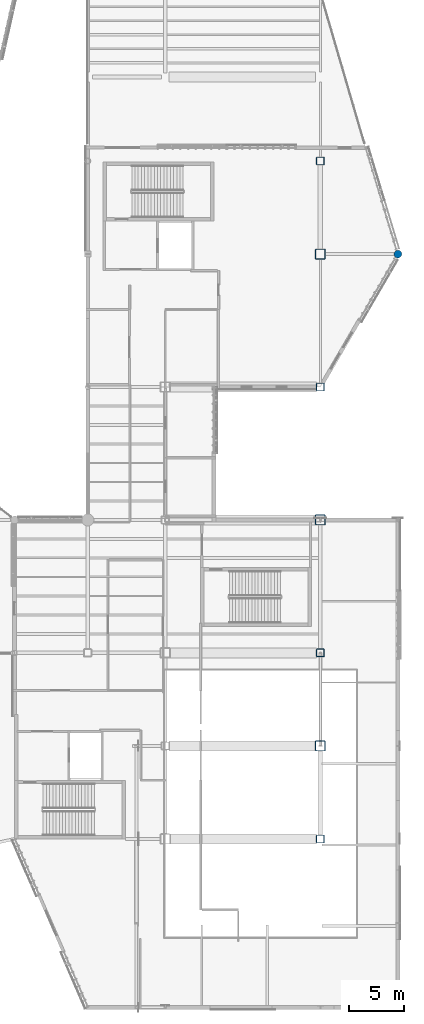
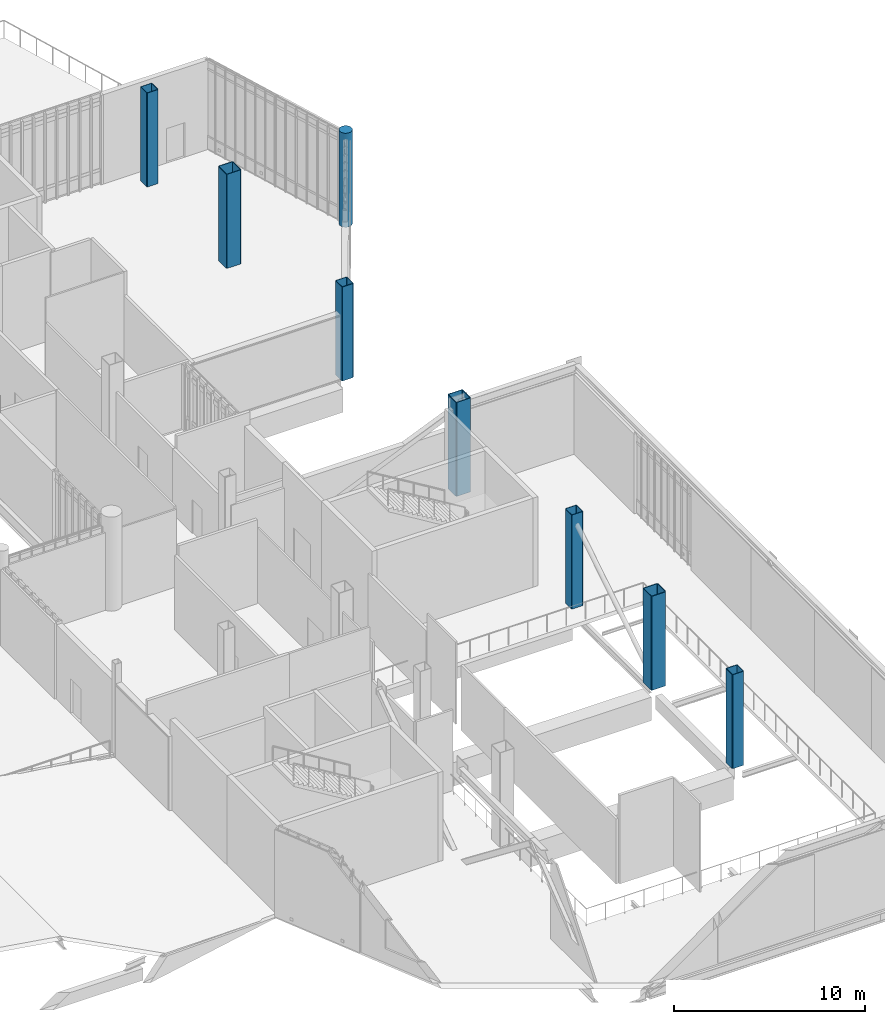
# One storey, part 8 of 135: 8 columns.
"""IFC4 building model written with IfcOpenShell, lengths in metres."""

from ifc_helpers import new_model, si_unit, direction, frame, origin, origin_2d, place, context, subcontext, project, spatial, hollow_rectangle, circle, extrude, material, material_profile, profile_set, type_object, element, save


model = new_model("IFC4")

# Units and contexts
model_context = context("Model", 3, precision=1e-05, world=origin(), true_north=direction((0.0, 1.0)))
body_context = subcontext(model_context, "Body", "Model", "MODEL_VIEW")
ifc_project = project(units=[si_unit("LENGTHUNIT", "METRE"), si_unit("AREAUNIT", "SQUARE_METRE"), si_unit("VOLUMEUNIT", "CUBIC_METRE"), si_unit("PLANEANGLEUNIT", "RADIAN"), si_unit("MASSUNIT", "GRAM", prefix="KILO")], contexts=[model_context])

# Site, building, storey
site_placement = place(None, origin())
site = spatial("IfcSite", under=ifc_project, at=site_placement, CompositionType="ELEMENT")
building_placement = place(site_placement, origin())
building = spatial("IfcBuilding", under=site, at=building_placement, Name="Larkvane Passage Sports Hall", CompositionType="ELEMENT")
storey_placement = place(building_placement, frame((0.0, 0.0, 10.800048828125)))
storey = spatial("IfcBuildingStorey", under=building, at=storey_placement, Name="L02", CompositionType="ELEMENT", Elevation=10.800048828125)

# Columns
ifc_material_1 = material(Name="Concrete C40/50", Category="concrete")
ifc_material_profile_1 = material_profile(ifc_material_1, circle(Radius=0.35009765625, at=origin_2d()), Name="RC-CIR-700")
ifc_profile_set_1 = profile_set([ifc_material_profile_1], Name="Concrete C40/50")
column_type_1 = type_object("IfcColumnType", Name="COL-CIR-700", PredefinedType="COLUMN", material=ifc_profile_set_1)
column_placement = place(storey_placement, frame((152.60009765625, 75.60009765625, 0.0), z_axis=(0.0, 0.0, 1.0), x_axis=(1.0, 0.0, 0.0)))
element("IfcColumn", 1, at=column_placement, inside=storey, type_object=column_type_1, Name="Column 20/J L02", PredefinedType="COLUMN", context=body_context, shape_type="SweptSolid", body=[
    extrude(circle(Radius=0.35009765625, at=origin_2d()), origin(), (0.0, 0.0, 1.0), 6.0),
])
ifc_material_2 = material(Name="Steel S460N", Category="steel")
ifc_material_profile_2 = material_profile(ifc_material_2, hollow_rectangle(XDim=0.699951171875, YDim=0.699951171875, WallThickness=0.028076171875, InnerFilletRadius=0.028076171875, OuterFilletRadius=0.055908203125, at=origin_2d()), Name="BOX-700x700x28")
ifc_profile_set_2 = profile_set([ifc_material_profile_2], Name="Steel S460N")
column_type_2 = type_object("IfcColumnType", Name="COL-STL-BOX700", PredefinedType="COLUMN", material=ifc_profile_set_2)
for number, where, z_axis, x_axis, name in (
    (2, (145.60009765625, 22.800048828125, 0.0), (0.0, 0.0, 1.0), (1.0, 0.0, 0.0), "Column 19/D L02"),
    (3, (145.60009765625, 39.60009765625, 0.0), (0.0, 0.0, 1.0), (1.0, 0.0, 0.0), "Column 19/F L02"),
    (4, (145.60009765625, 63.60009765625, 0.0), (0.0, 0.0, 1.0), (1.0, 0.0, 0.0), "Column 19/H L02"),
    (5, (145.60009765625, 84.0, 0.0), (0.0, 0.0, 1.0), (1.0, 0.0, 0.0), "Column 19/K L02"),
):
    element("IfcColumn", number, at=place(storey_placement, frame(where, z_axis=z_axis, x_axis=x_axis)), inside=storey, type_object=column_type_2, Name=name, PredefinedType="COLUMN", context=body_context, shape_type="SweptSolid", body=[
        extrude(hollow_rectangle(XDim=0.699951171875, YDim=0.699951171875, WallThickness=0.028076171875, InnerFilletRadius=0.028076171875, OuterFilletRadius=0.055908203125, at=origin_2d()), origin(), (0.0, 0.0, 1.0), 6.0),
    ])
ifc_material_profile_3 = material_profile(ifc_material_2, hollow_rectangle(XDim=0.89990234375, YDim=0.89990234375, WallThickness=0.035888671875, InnerFilletRadius=0.035888671875, OuterFilletRadius=0.072021484375, at=origin_2d()), Name="BOX-900x900x36")
ifc_profile_set_3 = profile_set([ifc_material_profile_3], Name="Steel S460N")
column_type_3 = type_object("IfcColumnType", Name="COL-STL-BOX900", PredefinedType="COLUMN", material=ifc_profile_set_3)
for number, where, z_axis, x_axis, name in (
    (6, (145.60009765625, 31.199951171875, 0.0), (0.0, 0.0, 1.0), (1.0, 0.0, 0.0), "Column 19/E L02"),
    (7, (145.60009765625, 51.60009765625, 0.0), (0.0, 0.0, 1.0), (1.0, 0.0, 0.0), "Column 19/G L02"),
    (8, (145.60009765625, 75.60009765625, 0.0), (0.0, 0.0, 1.0), (1.0, 0.0, 0.0), "Column 19/J L02"),
):
    element("IfcColumn", number, at=place(storey_placement, frame(where, z_axis=z_axis, x_axis=x_axis)), inside=storey, type_object=column_type_3, Name=name, PredefinedType="COLUMN", context=body_context, shape_type="SweptSolid", body=[
        extrude(hollow_rectangle(XDim=0.89990234375, YDim=0.89990234375, WallThickness=0.035888671875, InnerFilletRadius=0.035888671875, OuterFilletRadius=0.072021484375, at=origin_2d()), origin(), (0.0, 0.0, 1.0), 6.0),
    ])

save(model, "model.ifc")
